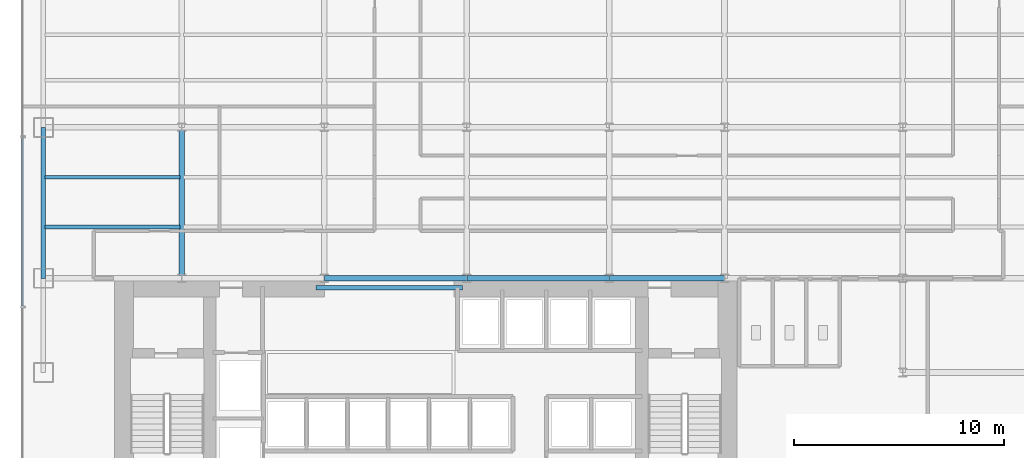
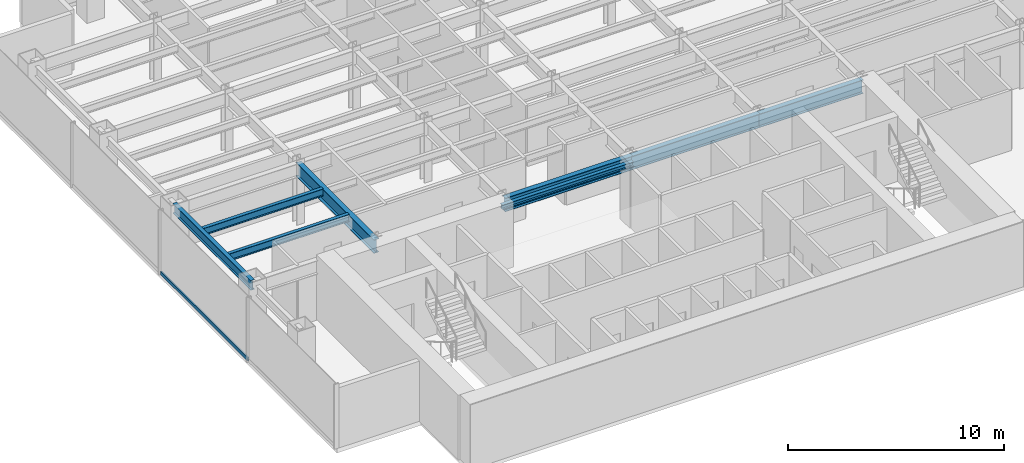
# One storey, part 3 of 22: 8 beams, 1 member, 1 element without a shape of its own.
"""IFC4 building model written with IfcOpenShell, lengths in metres."""

from ifc_helpers import new_model, si_unit, derived_unit, direction, frame, origin, origin_2d, place, context, subcontext, project, spatial, hollow_rectangle, i_section, extrude, source, transform, mapped, material, material_profile, profile_set, type_object, element, aggregate, save


model = new_model("IFC4")

# Units and contexts
model_context = context("Model", 3, precision=1e-05, world=origin(), true_north=direction((0.0, 1.0)))
body_context = subcontext(model_context, "Body", "Model", "MODEL_VIEW")
ifc_project = project(units=[si_unit("LENGTHUNIT", "METRE"), si_unit("AREAUNIT", "SQUARE_METRE"), si_unit("VOLUMEUNIT", "CUBIC_METRE"), si_unit("PLANEANGLEUNIT", "RADIAN"), si_unit("MASSUNIT", "GRAM", prefix="KILO"), derived_unit("THERMALTRANSMITTANCEUNIT", [(si_unit("POWERUNIT", "WATT"), 1), (si_unit("LENGTHUNIT", "METRE"), -2), (si_unit("THERMODYNAMICTEMPERATUREUNIT", "KELVIN"), -1)])], contexts=[model_context])

# Site, building, storey
site_placement = place(None, origin())
site = spatial("IfcSite", under=ifc_project, at=site_placement, CompositionType="ELEMENT")
building_placement = place(site_placement, origin())
building = spatial("IfcBuilding", under=site, at=building_placement, Name="Skarnbrae Concourse Arena and Tower", CompositionType="ELEMENT")
storey_placement = place(building_placement, frame((0.0, 0.0, 58.050048828125)))
storey = spatial("IfcBuildingStorey", under=building, at=storey_placement, Name="L13", CompositionType="ELEMENT", Elevation=58.050048828125)

# Beams
ifc_material_1 = material(Name="Steel CSA G40.21 350W", Category="steel")
ifc_material_profile_1 = material_profile(ifc_material_1, i_section(OverallWidth=0.202880859375, OverallDepth=0.251953125, WebThickness=0.008056640625, FlangeThickness=0.013427734375, at=origin_2d()), Name="W250X58")
ifc_profile_set_1 = profile_set([ifc_material_profile_1], Name="Steel CSA G40.21 350W")
beam_type_1 = type_object("IfcBeamType", Name="BM-LINTEL-W250X58", PredefinedType="LINTEL", material=ifc_profile_set_1)
shared_shape_1 = source(origin(), body_context, "Body", "SweptSolid", [
    extrude(i_section(OverallWidth=0.202880859375, OverallDepth=0.251953125, WebThickness=0.008056640625, FlangeThickness=0.013427734375, at=origin_2d()), origin(), (0.0, 0.0, 1.0), 7.0),
])
beam_1_placement = place(storey_placement, frame((14.0, 13.550048828125, 3.27392578125), z_axis=(1.0, 0.0, 0.0), x_axis=(0.0, 1.0, 0.0)))
element("IfcBeam", 1, at=beam_1_placement, inside=storey, type_object=beam_type_1, Name="L13 Core portal coupling lintel", PredefinedType="LINTEL", context=body_context, shape_type="MappedRepresentation", body=[
    mapped(shared_shape_1, transform((0.0, 0.0, 0.0))),
])
ifc_material_profile_2 = material_profile(ifc_material_1, i_section(OverallWidth=0.26806640625, OverallDepth=0.77001953125, WebThickness=0.015625, FlangeThickness=0.025390625, at=origin_2d()), Name="W760X196")
ifc_profile_set_2 = profile_set([ifc_material_profile_2], Name="Steel CSA G40.21 350W")
beam_type_2 = type_object("IfcBeamType", Name="BM-GIRD-W760X196", PredefinedType="BEAM", material=ifc_profile_set_2)
shared_shape_2 = source(origin(), body_context, "Body", "SweptSolid", [
    extrude(i_section(OverallWidth=0.26806640625, OverallDepth=0.77001953125, WebThickness=0.015625, FlangeThickness=0.025390625, at=origin_2d()), origin(), (0.0, 0.0, 1.0), 6.800048828125),
])
for number, where, z_axis, x_axis, name in (
    (2, (14.39990234375, 14.0, 3.014892578125), (1.0, 0.0, 0.0), (0.0, 1.0, 0.0), "L13 Primary E-W girder Y14.0-3"),
    (3, (21.199951171875, 14.0, 3.014892578125), (1.0, 0.0, 0.0), (0.0, 1.0, 0.0), "L13 Primary E-W girder Y14.0-4"),
):
    element("IfcBeam", number, at=place(storey_placement, frame(where, z_axis=z_axis, x_axis=x_axis)), inside=storey, type_object=beam_type_2, Name=name, PredefinedType="BEAM", context=body_context, shape_type="MappedRepresentation", body=[
        mapped(shared_shape_2, transform((0.0, 0.0, 0.0))),
    ])
shared_shape_3 = source(origin(), body_context, "Body", "SweptSolid", [
    extrude(i_section(OverallWidth=0.26806640625, OverallDepth=0.77001953125, WebThickness=0.015625, FlangeThickness=0.025390625, at=origin_2d()), origin(), (0.0, 0.0, 1.0), 5.5),
])
beam_2_placement = place(storey_placement, frame((28.0, 14.0, 3.014892578125), z_axis=(1.0, 0.0, 0.0), x_axis=(0.0, 1.0, 0.0)))
element("IfcBeam", 4, at=beam_2_placement, inside=storey, type_object=beam_type_2, Name="L13 Primary E-W girder Y14.0-5", PredefinedType="BEAM", context=body_context, shape_type="MappedRepresentation", body=[
    mapped(shared_shape_3, transform((0.0, 0.0, 0.0))),
])
ifc_material_profile_3 = material_profile(ifc_material_1, i_section(OverallWidth=0.214111328125, OverallDepth=0.549072265625, WebThickness=0.0146484375, FlangeThickness=0.023681640625, at=origin_2d()), Name="W530X138")
ifc_profile_set_3 = profile_set([ifc_material_profile_3], Name="Steel CSA G40.21 350W")
beam_type_3 = type_object("IfcBeamType", Name="BM-SPAN-W530X138", PredefinedType="SPANDREL", material=ifc_profile_set_3)
shared_shape_4 = source(origin(), body_context, "Body", "SweptSolid", [
    extrude(i_section(OverallWidth=0.214111328125, OverallDepth=0.549072265625, WebThickness=0.0146484375, FlangeThickness=0.023681640625, at=origin_2d()), origin(), (0.0, 0.0, 1.0), 7.199951171875),
])
beam_3_placement = place(storey_placement, frame((1.0, 14.0, 3.12548828125), z_axis=(0.0, 1.0, 0.0), x_axis=(-1.0, 0.0, 0.0)))
element("IfcBeam", 5, at=beam_3_placement, inside=storey, type_object=beam_type_3, Name="L13 Perimeter spandrel X1.0-2", PredefinedType="SPANDREL", context=body_context, shape_type="MappedRepresentation", body=[
    mapped(shared_shape_4, transform((0.0, 0.0, 0.0))),
])
shared_shape_5 = source(origin(), body_context, "Body", "SweptSolid", [
    extrude(i_section(OverallWidth=0.26806640625, OverallDepth=0.77001953125, WebThickness=0.015625, FlangeThickness=0.025390625, at=origin_2d()), origin(), (0.0, 0.0, 1.0), 7.199951171875),
])
beam_4_placement = place(storey_placement, frame((7.60009765625, 14.0, 3.014892578125), z_axis=(0.0, 1.0, 0.0), x_axis=(-1.0, 0.0, 0.0)))
element("IfcBeam", 6, at=beam_4_placement, inside=storey, type_object=beam_type_2, Name="L13 Primary N-S girder X7.6-1", PredefinedType="BEAM", context=body_context, shape_type="MappedRepresentation", body=[
    mapped(shared_shape_5, transform((0.0, 0.0, 0.0))),
])
ifc_material_profile_4 = material_profile(ifc_material_1, i_section(OverallWidth=0.180908203125, OverallDepth=0.4169921875, WebThickness=0.010986328125, FlangeThickness=0.018310546875, at=origin_2d()), Name="W410X85")
ifc_profile_set_4 = profile_set([ifc_material_profile_4], Name="Steel CSA G40.21 350W")
beam_type_4 = type_object("IfcBeamType", Name="BM-JOIST-W410X85", PredefinedType="JOIST", material=ifc_profile_set_4)
shared_shape_6 = source(origin(), body_context, "Body", "SweptSolid", [
    extrude(i_section(OverallWidth=0.180908203125, OverallDepth=0.4169921875, WebThickness=0.010986328125, FlangeThickness=0.018310546875, at=origin_2d()), origin(), (0.0, 0.0, 1.0), 6.43994140625),
])
for number, where, z_axis, x_axis, name in (
    (7, (1.080078125, 16.447998046875, 3.19140625), (1.0, 0.0, 0.0), (0.0, 1.0, 0.0), "L13 Secondary floor joist 1.1.1"),
    (8, (1.080078125, 18.823974609375, 3.19140625), (1.0, 0.0, 0.0), (0.0, 1.0, 0.0), "L13 Secondary floor joist 1.2.1"),
):
    element("IfcBeam", number, at=place(storey_placement, frame(where, z_axis=z_axis, x_axis=x_axis)), inside=storey, type_object=beam_type_4, Name=name, PredefinedType="JOIST", context=body_context, shape_type="MappedRepresentation", body=[
        mapped(shared_shape_6, transform((0.0, 0.0, 0.0))),
    ])

# Curtain wall, member
ifc_material_2 = material(Name="Bronze anodised aluminium 6063-T6", Category="aluminium")
curtain_wall_type = type_object("IfcCurtainWallType", Name="CW-SYS-02-LOWZONE", PredefinedType="USERDEFINED", material=ifc_material_2)
curtain_wall_placement = place(storey_placement, origin())
curtain_wall = element("IfcCurtainWall", 9, at=curtain_wall_placement, inside=storey, type_object=curtain_wall_type, Name="L13 Unitised curtain wall CW-L13-E19", ObjectType="UNITISED CURTAIN WALL", PredefinedType="USERDEFINED")
ifc_material_profile_5 = material_profile(ifc_material_2, hollow_rectangle(XDim=0.080078125, YDim=0.18994140625, WallThickness=0.0048828125, at=origin_2d()), Name="ALU-TRAN-80X190")
ifc_profile_set_5 = profile_set([ifc_material_profile_5], Name="Bronze anodised aluminium 6063-T6")
member_type = type_object("IfcMemberType", Name="CWT-CW-02", PredefinedType="USERDEFINED", material=ifc_profile_set_5)
shared_shape_7 = source(origin(), body_context, "Body", "SweptSolid", [
    extrude(hollow_rectangle(XDim=0.080078125, YDim=0.18994140625, WallThickness=0.0048828125, at=origin_2d()), origin(), (0.0, 0.0, 1.0), 8.044921875),
])
member_placement = place(storey_placement, frame((0.0, 20.7099609375, 0.094970703125), z_axis=(0.0, -1.0, 0.0), x_axis=(1.0, 0.0, 0.0)))
member = element("IfcMember", 10, at=member_placement, type_object=member_type, Name="CW-L13-E19 Transom 3", ObjectType="TRANSOM", PredefinedType="USERDEFINED", context=body_context, shape_type="MappedRepresentation", body=[
    mapped(shared_shape_7, transform((0.0, 0.0, 0.0))),
])
aggregate(curtain_wall, [member])

save(model, "model.ifc")
